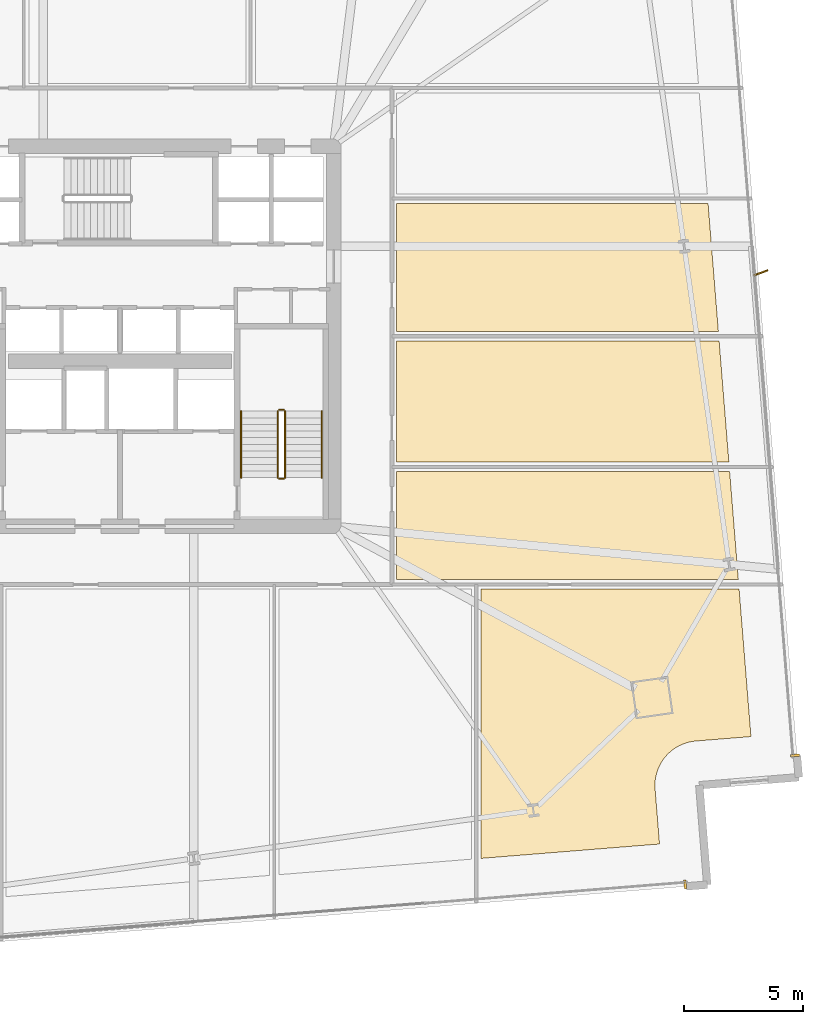
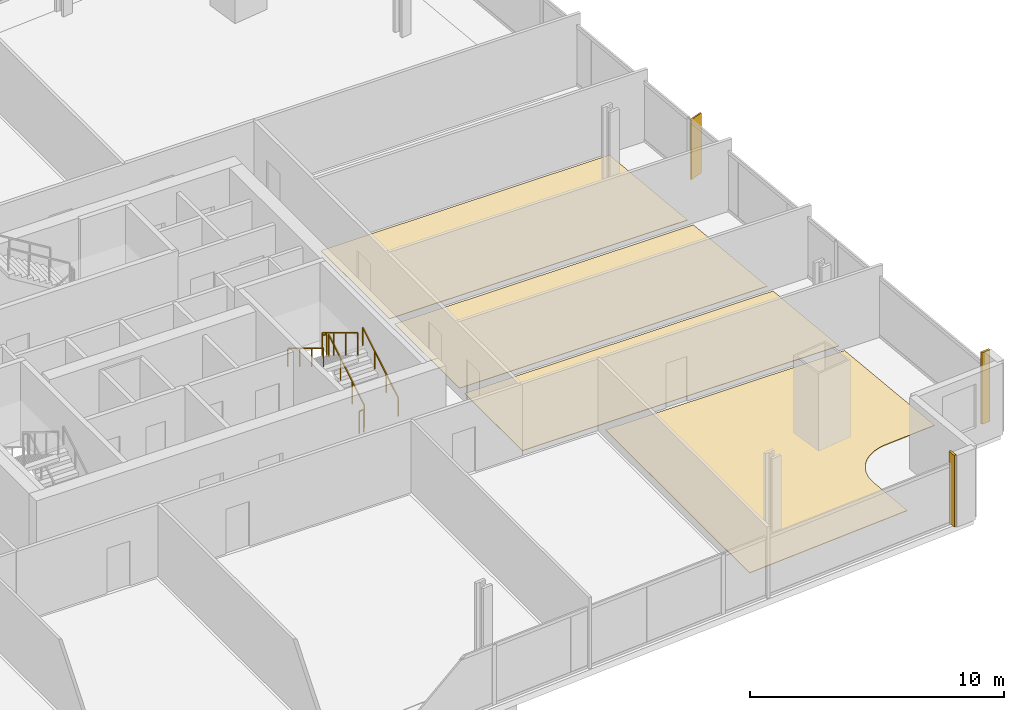
# One storey, part 31 of 33: 6 coverings, 6 railings, 1 shading device.
"""IFC4 building model written with IfcOpenShell, lengths in metres."""

from ifc_helpers import new_model, si_unit, direction, frame, origin, origin_2d, place, context, subcontext, project, spatial, polyline, rectangle, outline, extrude, source, transform, mapped, material, layer, layer_set, type_object, element, save


model = new_model("IFC4")

# Units and contexts
model_context = context("Model", 3, precision=1e-05, world=origin(), true_north=direction((0.0, 1.0)))
body_context = subcontext(model_context, "Body", "Model", "MODEL_VIEW")
ifc_project = project(units=[si_unit("LENGTHUNIT", "METRE"), si_unit("AREAUNIT", "SQUARE_METRE"), si_unit("VOLUMEUNIT", "CUBIC_METRE"), si_unit("PLANEANGLEUNIT", "RADIAN"), si_unit("MASSUNIT", "GRAM", prefix="KILO")], contexts=[model_context])

# Site, building, storey
site_placement = place(None, origin())
site = spatial("IfcSite", under=ifc_project, at=site_placement, CompositionType="ELEMENT")
building_placement = place(site_placement, origin())
building = spatial("IfcBuilding", under=site, at=building_placement, Name="Haldenkirk Collegiate Tower", CompositionType="ELEMENT")
storey_placement = place(building_placement, frame((0.0, 0.0, 43.949951171875)))
storey = spatial("IfcBuildingStorey", under=building, at=storey_placement, Name="L09", CompositionType="ELEMENT", Elevation=43.949951171875)

# Coverings
ifc_material_1 = material(Name="Polished collegiate terrazzo", Category="concrete")
ifc_layer_1 = layer(ifc_material_1, 0.02490234375)
ifc_layer_set_1 = layer_set([ifc_layer_1], Name="Polished collegiate terrazzo")
covering_type_1 = type_object("IfcCoveringType", Name="COV-FLOOR-TERRAZZO", PredefinedType="FLOORING", material=ifc_layer_set_1)
covering_1_placement = place(storey_placement, origin())
element("IfcCovering", 1, at=covering_1_placement, inside=storey, type_object=covering_type_1, Name="L09 academic room finish 06", PredefinedType="FLOORING", context=body_context, shape_type="SweptSolid", body=[
    extrude(outline(polyline([(62.5673828125, 9.146484375), (60.24462890625, 8.95947265625), (60.23876953125, 8.958984375), (60.068603515625, 8.936767578125), (60.056884765625, 8.9345703125), (59.8896484375, 8.89599609375), (59.87841796875, 8.892578125), (59.715576171875, 8.837646484375), (59.70458984375, 8.83349609375), (59.548095703125, 8.7626953125), (59.53759765625, 8.75732421875), (59.388671875, 8.671630859375), (59.37890625, 8.665283203125), (59.239013671875, 8.5654296875), (59.22998046875, 8.558349609375), (59.1005859375, 8.4453125), (59.092041015625, 8.43701171875), (58.974609375, 8.31201171875), (58.966796875, 8.302978515625), (58.8623046875, 8.166748046875), (58.85546875, 8.1572265625), (58.764404296875, 8.011474609375), (58.7587890625, 8.001220703125), (58.6826171875, 7.84716796875), (58.677978515625, 7.83642578125), (58.6171875, 7.67578125), (58.613525390625, 7.66455078125), (58.56884765625, 7.498779296875), (58.56640625, 7.4873046875), (58.5380859375, 7.31787109375), (58.536865234375, 7.30615234375), (58.525390625, 7.134765625), (58.525146484375, 7.123046875), (58.530517578125, 6.951416015625), (58.53076171875, 6.945556640625), (58.717529296875, 4.623046875), (51.199951171875, 4.018310546875), (51.199951171875, 15.35009765625), (62.068115234375, 15.35009765625), (62.5673828125, 9.146484375)])), origin(), (0.0, 0.0, 1.0), 0.025146484375),
])
covering_2_placement = place(storey_placement, origin())
element("IfcCovering", 2, at=covering_2_placement, inside=storey, type_object=covering_type_1, Name="L09 academic room finish 10", PredefinedType="FLOORING", context=body_context, shape_type="SweptSolid", body=[
    extrude(outline(polyline([(62.035888671875, 15.75), (47.64990234375, 15.75), (47.64990234375, 20.300048828125), (61.669921875, 20.300048828125), (62.035888671875, 15.75)])), origin(), (0.0, 0.0, 1.0), 0.025146484375),
])
covering_3_placement = place(storey_placement, origin())
element("IfcCovering", 3, at=covering_3_placement, inside=storey, type_object=covering_type_1, Name="L09 academic room finish 12", PredefinedType="FLOORING", context=body_context, shape_type="SweptSolid", body=[
    extrude(outline(polyline([(61.1953125, 26.199951171875), (47.64990234375, 26.199951171875), (47.64990234375, 31.60009765625), (60.7607421875, 31.60009765625), (61.1953125, 26.199951171875)])), origin(), (0.0, 0.0, 1.0), 0.025146484375),
])
ifc_material_2 = material(Name="Engineered collegiate oak acoustic flooring", Category="wood")
ifc_layer_2 = layer(ifc_material_2, 0.02197265625)
ifc_layer_set_2 = layer_set([ifc_layer_2], Name="Engineered collegiate oak acoustic flooring")
covering_type_2 = type_object("IfcCoveringType", Name="COV-FLOOR-TIMBER", PredefinedType="FLOORING", material=ifc_layer_set_2)
covering_4_placement = place(storey_placement, origin())
element("IfcCovering", 4, at=covering_4_placement, inside=storey, type_object=covering_type_2, Name="L09 academic room finish 11", PredefinedType="FLOORING", context=body_context, shape_type="SweptSolid", body=[
    extrude(outline(polyline([(61.6376953125, 20.699951171875), (47.64990234375, 20.699951171875), (47.64990234375, 25.800048828125), (61.227294921875, 25.800048828125), (61.6376953125, 20.699951171875)])), origin(), (0.0, 0.0, 1.0), 0.02197265625),
])

# Railings
ifc_material_3 = material(Name="Painted architectural tubular steel", Category="steel")
railing_type_1 = type_object("IfcRailingType", Name="RLG-STAIR-GUARD-1100", PredefinedType="BALUSTRADE", material=ifc_material_3)
railing_1_placement = place(storey_placement, frame((42.949951171875, 20.050048828125, 0.17041015625)))
element("IfcRailing", 5, at=railing_1_placement, inside=storey, type_object=railing_type_1, Name="L09 ST-2 stair guard 1", PredefinedType="BALUSTRADE", context=body_context, shape_type="SweptSolid", body=[
    extrude(rectangle(XDim=0.048095703125, YDim=0.048095703125, at=origin_2d()), frame((0.0, 0.0, 1.076171875), z_axis=(0.0, 0.854169791009, 0.51999420009), x_axis=(-1.0, 0.0, 0.0)), (0.0, 0.0, 1.0), 3.278076171875),
    extrude(rectangle(XDim=0.0419921875, YDim=0.0419921875, at=origin_2d()), origin(), (0.0, 0.0, 1.0), 1.052001953125),
    extrude(rectangle(XDim=0.0419921875, YDim=0.0419921875, at=origin_2d()), frame((0.0, 0.933349609375, 0.568115234375)), (0.0, 0.0, 1.0), 1.052001953125),
    extrude(rectangle(XDim=0.0419921875, YDim=0.0419921875, at=origin_2d()), frame((0.0, 1.86669921875, 1.136474609375)), (0.0, 0.0, 1.0), 1.052001953125),
    extrude(rectangle(XDim=0.0419921875, YDim=0.0419921875, at=origin_2d()), frame((0.0, 2.800048828125, 1.70458984375)), (0.0, 0.0, 1.0), 1.052001953125),
])
railing_2_placement = place(storey_placement, frame((42.89990234375, 22.89990234375, 1.875)))
element("IfcRailing", 6, at=railing_2_placement, inside=storey, type_object=railing_type_1, Name="L09 ST-2 stair guard 2", PredefinedType="BALUSTRADE", context=body_context, shape_type="SweptSolid", body=[
    extrude(rectangle(XDim=0.048095703125, YDim=0.048095703125, at=origin_2d()), frame((0.0, 0.0, 1.076171875), z_axis=(-1.0, 0.0, 0.0), x_axis=(0.0, -1.0, 0.0)), (0.0, 0.0, 1.0), 0.199951171875),
    extrude(rectangle(XDim=0.0419921875, YDim=0.0419921875, at=origin_2d()), origin(), (0.0, 0.0, 1.0), 1.052001953125),
    extrude(rectangle(XDim=0.0419921875, YDim=0.0419921875, at=origin_2d()), frame((-0.199951171875, 0.0, 0.0)), (0.0, 0.0, 1.0), 1.052001953125),
])
railing_3_placement = place(storey_placement, frame((42.64990234375, 22.85009765625, 2.04541015625)))
element("IfcRailing", 7, at=railing_3_placement, inside=storey, type_object=railing_type_1, Name="L09 ST-2 stair guard 3", PredefinedType="BALUSTRADE", context=body_context, shape_type="SweptSolid", body=[
    extrude(rectangle(XDim=0.048095703125, YDim=0.048095703125, at=origin_2d()), frame((0.0, 0.0, 1.076171875), z_axis=(0.0, -0.854169791009, 0.51999420009), x_axis=(1.0, 0.0, 0.0)), (0.0, 0.0, 1.0), 3.278076171875),
    extrude(rectangle(XDim=0.0419921875, YDim=0.0419921875, at=origin_2d()), origin(), (0.0, 0.0, 1.0), 1.052001953125),
    extrude(rectangle(XDim=0.0419921875, YDim=0.0419921875, at=origin_2d()), frame((0.0, -0.933349609375, 0.568115234375)), (0.0, 0.0, 1.0), 1.052001953125),
    extrude(rectangle(XDim=0.0419921875, YDim=0.0419921875, at=origin_2d()), frame((0.0, -1.86669921875, 1.136474609375)), (0.0, 0.0, 1.0), 1.052001953125),
    extrude(rectangle(XDim=0.0419921875, YDim=0.0419921875, at=origin_2d()), frame((0.0, -2.800048828125, 1.70458984375)), (0.0, 0.0, 1.0), 1.052001953125),
])
railing_4_placement = place(storey_placement, frame((42.89990234375, 20.0, 0.0)))
element("IfcRailing", 8, at=railing_4_placement, inside=storey, type_object=railing_type_1, Name="L09 ST-2 stair guard 4", PredefinedType="BALUSTRADE", context=body_context, shape_type="SweptSolid", body=[
    extrude(rectangle(XDim=0.048095703125, YDim=0.048095703125, at=origin_2d()), frame((0.0, 0.0, 1.076171875), z_axis=(-1.0, 0.0, 0.0), x_axis=(0.0, -1.0, 0.0)), (0.0, 0.0, 1.0), 0.199951171875),
    extrude(rectangle(XDim=0.0419921875, YDim=0.0419921875, at=origin_2d()), origin(), (0.0, 0.0, 1.0), 1.052001953125),
    extrude(rectangle(XDim=0.0419921875, YDim=0.0419921875, at=origin_2d()), frame((-0.199951171875, 0.0, 0.0)), (0.0, 0.0, 1.0), 1.052001953125),
])
railing_type_2 = type_object("IfcRailingType", Name="RLG-STAIR-HANDRAIL-900", PredefinedType="HANDRAIL", material=ifc_material_3)
railing_5_placement = place(storey_placement, frame((44.5, 20.050048828125, 0.17041015625)))
element("IfcRailing", 9, at=railing_5_placement, inside=storey, type_object=railing_type_2, Name="L09 ST-2 stair handrail 1", PredefinedType="HANDRAIL", context=body_context, shape_type="SweptSolid", body=[
    extrude(rectangle(XDim=0.048095703125, YDim=0.048095703125, at=origin_2d()), frame((0.0, 0.0, 0.8759765625), z_axis=(0.0, 0.854169791009, 0.51999420009), x_axis=(-1.0, 0.0, 0.0)), (0.0, 0.0, 1.0), 3.278076171875),
    extrude(rectangle(XDim=0.0419921875, YDim=0.0419921875, at=origin_2d()), origin(), (0.0, 0.0, 1.0), 0.851806640625),
    extrude(rectangle(XDim=0.0419921875, YDim=0.0419921875, at=origin_2d()), frame((0.0, 0.933349609375, 0.568115234375)), (0.0, 0.0, 1.0), 0.851806640625),
    extrude(rectangle(XDim=0.0419921875, YDim=0.0419921875, at=origin_2d()), frame((0.0, 1.86669921875, 1.136474609375)), (0.0, 0.0, 1.0), 0.851806640625),
    extrude(rectangle(XDim=0.0419921875, YDim=0.0419921875, at=origin_2d()), frame((0.0, 2.800048828125, 1.70458984375)), (0.0, 0.0, 1.0), 0.851806640625),
])
railing_6_placement = place(storey_placement, frame((41.10009765625, 22.85009765625, 2.04541015625)))
element("IfcRailing", 10, at=railing_6_placement, inside=storey, type_object=railing_type_2, Name="L09 ST-2 stair handrail 2", PredefinedType="HANDRAIL", context=body_context, shape_type="SweptSolid", body=[
    extrude(rectangle(XDim=0.048095703125, YDim=0.048095703125, at=origin_2d()), frame((0.0, 0.0, 0.8759765625), z_axis=(0.0, -0.854169791009, 0.51999420009), x_axis=(1.0, 0.0, 0.0)), (0.0, 0.0, 1.0), 3.278076171875),
    extrude(rectangle(XDim=0.0419921875, YDim=0.0419921875, at=origin_2d()), origin(), (0.0, 0.0, 1.0), 0.851806640625),
    extrude(rectangle(XDim=0.0419921875, YDim=0.0419921875, at=origin_2d()), frame((0.0, -0.933349609375, 0.568115234375)), (0.0, 0.0, 1.0), 0.851806640625),
    extrude(rectangle(XDim=0.0419921875, YDim=0.0419921875, at=origin_2d()), frame((0.0, -1.86669921875, 1.136474609375)), (0.0, 0.0, 1.0), 0.851806640625),
    extrude(rectangle(XDim=0.0419921875, YDim=0.0419921875, at=origin_2d()), frame((0.0, -2.800048828125, 1.70458984375)), (0.0, 0.0, 1.0), 0.851806640625),
])

# Coverings
ifc_material_4 = material(Name="Anodised architectural bronze aluminium", Category="aluminium")
ifc_layer_3 = layer(ifc_material_4, 0.06005859375)
ifc_layer_set_3 = layer_set([ifc_layer_3], Name="Anodised architectural bronze aluminium")
covering_type_3 = type_object("IfcCoveringType", Name="COV-CLAD-BRONZE-60", PredefinedType="CLADDING", material=ifc_layer_set_3)
shared_shape_1 = source(origin(), body_context, "Body", "SweptSolid", [
    extrude(rectangle(XDim=0.10009765625, YDim=0.3798828125, at=origin_2d()), origin(), (0.0, 0.0, 1.0), 3.43994140625),
])
for number, where, z_axis, x_axis, name in (
    (11, (59.79736328125, 2.92431640625, 0.0), (0.0, 0.0, 1.0), (-0.996778878456, -0.080198924329, 0.0), "L09 recessed curtain-wall bronze jamb closure SJL"),
    (12, (64.4169921875, 8.352294921875, 0.0), (0.0, 0.0, 1.0), (0.080198924329, -0.996778878456, 0.0), "L09 recessed curtain-wall bronze jamb closure EJR"),
):
    element("IfcCovering", number, at=place(storey_placement, frame(where, z_axis=z_axis, x_axis=x_axis)), inside=storey, type_object=covering_type_3, Name=name, PredefinedType="CLADDING", context=body_context, shape_type="MappedRepresentation", body=[
        mapped(shared_shape_1, transform((0.0, 0.0, 0.0), x_axis=(1.0, 0.0, 0.0), y_axis=(0.0, 1.0, 0.0), z_axis=(0.0, 0.0, 1.0), scale=1.0)),
    ])

# Shading device
ifc_layer_4 = layer(ifc_material_4, 0.06494140625)
ifc_layer_set_4 = layer_set([ifc_layer_4], Name="Anodised architectural bronze aluminium")
shading_device_type = type_object("IfcShadingDeviceType", Name="SHD-FIN-BRONZE-620", PredefinedType="USERDEFINED", material=ifc_layer_set_4)
shared_shape_2 = source(origin(), body_context, "Body", "SweptSolid", [
    extrude(rectangle(XDim=0.6201171875, YDim=0.06494140625, at=origin_2d()), origin(), (0.0, 0.0, 1.0), 2.89111328125),
])
shading_device_placement = place(storey_placement, frame((62.987548828125, 28.673095703125, 0.0), z_axis=(0.0, 0.0, 1.0), x_axis=(0.936059535739, 0.351841648405, 0.0)))
element("IfcShadingDevice", 13, at=shading_device_placement, inside=storey, type_object=shading_device_type, Name="L09 folded bronze solar fin 1", ObjectType="FIN", PredefinedType="USERDEFINED", context=body_context, shape_type="MappedRepresentation", body=[
    mapped(shared_shape_2, transform((0.0, 0.0, 0.0), x_axis=(1.0, 0.0, 0.0), y_axis=(0.0, 1.0, 0.0), z_axis=(0.0, 0.0, 1.0), scale=1.0)),
])

save(model, "model.ifc")
